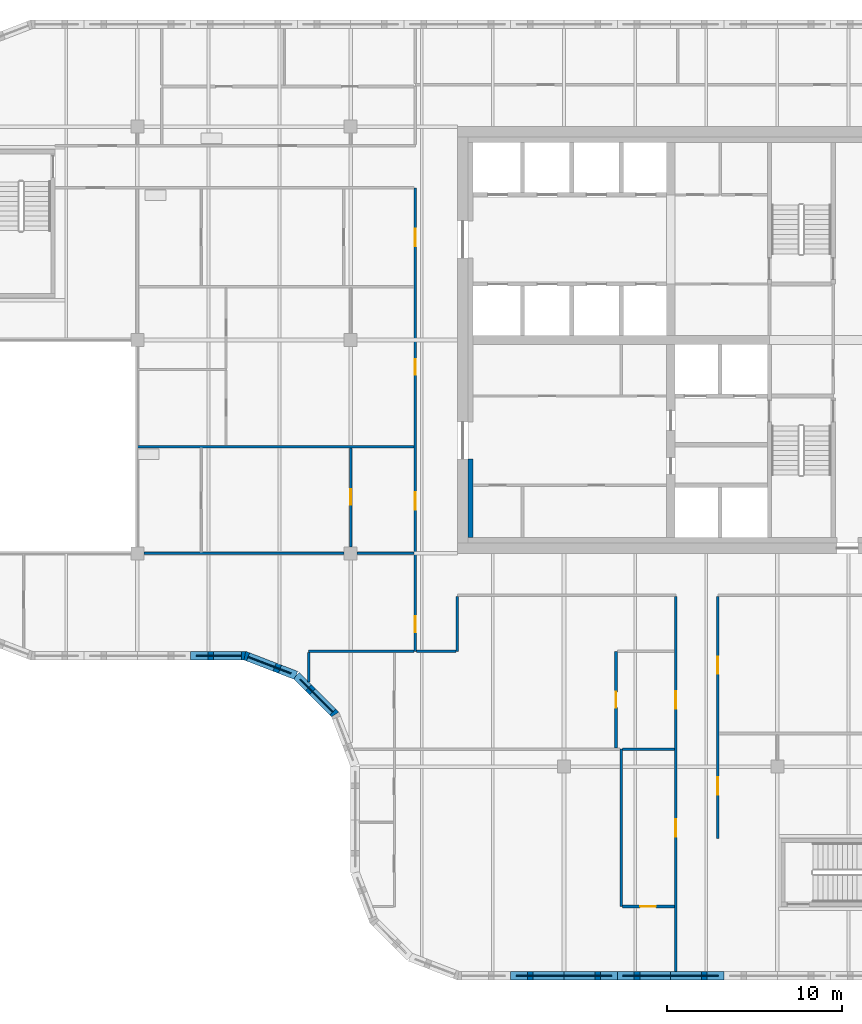
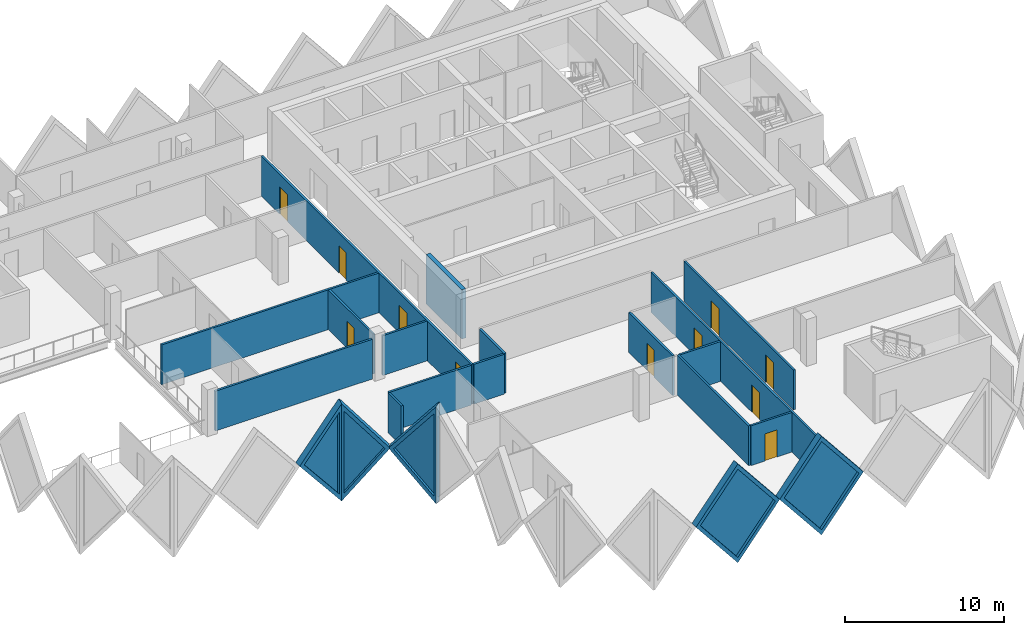
# One storey, part 4 of 12: 21 walls, 11 doors, 5 plates, 16 openings.
"""IFC4 building model written with IfcOpenShell, lengths in metres."""

from ifc_helpers import new_model, si_unit, direction, frame, frame_2d, origin, place, context, subcontext, project, spatial, polyline, rectangle, outline, extrude, faceted_brep, source, transform, mapped, material, layer, layer_set, type_object, element, fill, save


model = new_model("IFC4")

# Units and contexts
model_context = context("Model", 3, precision=1e-05, world=origin(), true_north=direction((0.0, 1.0)))
body_context = subcontext(model_context, "Body", "Model", "MODEL_VIEW")
ifc_project = project(units=[si_unit("LENGTHUNIT", "METRE"), si_unit("AREAUNIT", "SQUARE_METRE"), si_unit("VOLUMEUNIT", "CUBIC_METRE"), si_unit("PLANEANGLEUNIT", "RADIAN"), si_unit("MASSUNIT", "GRAM", prefix="KILO")], contexts=[model_context])

# Site, building, storey
site_placement = place(None, origin())
site = spatial("IfcSite", under=ifc_project, at=site_placement, CompositionType="ELEMENT")
building_placement = place(site_placement, origin())
building = spatial("IfcBuilding", under=site, at=building_placement, Name="Tessera Gate Towers", CompositionType="ELEMENT")
storey_placement = place(building_placement, frame((0.0, 0.0, 163.0)))
storey = spatial("IfcBuildingStorey", under=building, at=storey_placement, Name="L40", CompositionType="ELEMENT", Elevation=163.0)

# Wall
ifc_material_1 = material(Name="Concrete C50/60", Category="concrete")
ifc_layer_1 = layer(ifc_material_1, 0.300048828125)
ifc_layer_set_1 = layer_set([ifc_layer_1], Name="CORE WALL THICKENING 300")
wall_type_1 = type_object("IfcWallType", Name="CORE WALL THICKENING 300", PredefinedType="SOLIDWALL", material=ifc_layer_set_1)
wall_1_placement = place(storey_placement, frame((31.25, 25.300048828125, 0.0), z_axis=(0.0, 0.0, 1.0), x_axis=(0.0, 1.0, 0.0)))
element("IfcWall", 1, at=wall_1_placement, inside=storey, type_object=wall_type_1, Name="Core wall thickening W L40", PredefinedType="SOLIDWALL", context=body_context, shape_type="SweptSolid", body=[
    extrude(rectangle(XDim=4.5, YDim=0.300048828125, at=frame_2d((2.25, 0.0))), origin(), (0.0, 0.0, 1.0), 3.800048828125),
])

# Wall, openings, doors
ifc_material_2 = material(Name="Gypsum board on steel studs, mineral wool", Category="steel")
ifc_layer_2 = layer(ifc_material_2, 0.14990234375)
ifc_layer_set_2 = layer_set([ifc_layer_2], Name="CORRIDOR WALL 150")
wall_type_2 = type_object("IfcWallType", Name="CORRIDOR WALL 150", PredefinedType="PARTITIONING", material=ifc_layer_set_2)
wall_2_placement = place(storey_placement, frame((43.0, 0.5, 0.0), z_axis=(0.0, 0.0, 1.0), x_axis=(0.0, 1.0, 0.0)))
wall_2 = element("IfcWall", 2, at=wall_2_placement, inside=storey, type_object=wall_type_2, Name="T1-L40-PW-001", PredefinedType="PARTITIONING", context=body_context, shape_type="SweptSolid", body=[
    extrude(rectangle(XDim=21.424072265625, YDim=0.14990234375, at=frame_2d((10.7119140625, 0.0))), origin(), (0.0, 0.0, 1.0), 3.06689453125),
])
shared_shape_1 = source(origin(), body_context, "Body", "SweptSolid", [
    extrude(rectangle(XDim=1.0, YDim=2.10009765625, at=frame_2d((0.5, 1.050048828125))), frame((0.0, 0.0849609375, 0.0), z_axis=(0.0, -1.0, 0.0), x_axis=(1.0, 0.0, 0.0)), (0.0, 0.0, 1.0), 0.169921875),
])
opening_1_placement = place(wall_2_placement, frame((15.0009765625, 0.0, 0.0)))
opening_1 = element("IfcOpeningElement", 3, at=opening_1_placement, cuts=wall_2, Name="Opening D2100FD60-A14-02", PredefinedType="OPENING", context=body_context, shape_type="MappedRepresentation", body=[
    mapped(shared_shape_1, transform((0.0, 0.0, 0.0), scale=1.0)),
])
opening_2_placement = place(wall_2_placement, frame((7.699951171875, 0.0, 0.0)))
opening_2 = element("IfcOpeningElement", 4, at=opening_2_placement, cuts=wall_2, Name="Opening D2100FD60-A14-08", PredefinedType="OPENING", context=body_context, shape_type="MappedRepresentation", body=[
    mapped(shared_shape_1, transform((0.0, 0.0, 0.0), scale=1.0)),
])
ifc_material_3 = material(Name="Timber door leaf in steel frame", Category="steel")
door_type_1 = type_object("IfcDoorType", Name="TENANCY ENTRANCE DOOR 1000 FD60", OperationType="NOTDEFINED", PredefinedType="DOOR", material=ifc_material_3)
shared_shape_2 = source(origin(), body_context, "Body", "SweptSolid", [
    extrude(rectangle(XDim=1.0, YDim=2.10009765625, at=frame_2d((0.5, 1.050048828125))), frame((0.0, 0.02490234375, 0.0), z_axis=(0.0, -1.0, 0.0), x_axis=(1.0, 0.0, 0.0)), (0.0, 0.0, 1.0), 0.050048828125),
])
door_1_placement = place(opening_1_placement, origin())
door_1 = element("IfcDoor", 5, at=door_1_placement, inside=storey, type_object=door_type_1, Name="T1-L40-PD-010", OperationType="SINGLE_SWING_LEFT", OverallHeight=2.10009765625, OverallWidth=1.0, PredefinedType="DOOR", context=body_context, shape_type="MappedRepresentation", body=[
    mapped(shared_shape_2, transform((0.0, 0.0, 0.0), scale=1.0)),
])
fill(opening_1, door_1)
door_2_placement = place(opening_2_placement, origin())
door_2 = element("IfcDoor", 6, at=door_2_placement, inside=storey, type_object=door_type_1, Name="T1-L40-PD-023", OperationType="SINGLE_SWING_LEFT", OverallHeight=2.10009765625, OverallWidth=1.0, PredefinedType="DOOR", context=body_context, shape_type="MappedRepresentation", body=[
    mapped(shared_shape_2, transform((0.0, 0.0, 0.0), scale=1.0)),
])
fill(opening_2, door_2)

wall_3_placement = place(storey_placement, frame((45.39990234375, 21.924072265625, 0.0), z_axis=(0.0, 0.0, 1.0), x_axis=(0.0, -1.0, 0.0)))
wall_3 = element("IfcWall", 7, at=wall_3_placement, inside=storey, type_object=wall_type_2, Name="T1-L40-PW-007", PredefinedType="PARTITIONING", context=body_context, shape_type="SweptSolid", body=[
    extrude(rectangle(XDim=13.823974609375, YDim=0.14990234375, at=frame_2d((6.912109375, 0.0))), origin(), (0.0, 0.0, 1.0), 3.06689453125),
])
opening_3_placement = place(wall_3_placement, frame((10.323974609375, 0.0, 0.0)))
opening_3 = element("IfcOpeningElement", 8, at=opening_3_placement, cuts=wall_3, Name="Opening D2100FD60-A14-04", PredefinedType="OPENING", context=body_context, shape_type="MappedRepresentation", body=[
    mapped(shared_shape_1, transform((0.0, 0.0, 0.0), scale=1.0)),
])
opening_4_placement = place(wall_3_placement, frame((3.424072265625, 0.0, 0.0)))
opening_4 = element("IfcOpeningElement", 9, at=opening_4_placement, cuts=wall_3, Name="Opening D2100FD60-A14-07", PredefinedType="OPENING", context=body_context, shape_type="MappedRepresentation", body=[
    mapped(shared_shape_1, transform((0.0, 0.0, 0.0), scale=1.0)),
])
door_3_placement = place(opening_3_placement, origin())
door_3 = element("IfcDoor", 10, at=door_3_placement, inside=storey, type_object=door_type_1, Name="T1-L40-PD-015", OperationType="SINGLE_SWING_RIGHT", OverallHeight=2.10009765625, OverallWidth=1.0, PredefinedType="DOOR", context=body_context, shape_type="MappedRepresentation", body=[
    mapped(shared_shape_2, transform((0.0, 0.0, 0.0), scale=1.0)),
])
fill(opening_3, door_3)
door_4_placement = place(opening_4_placement, origin())
door_4 = element("IfcDoor", 11, at=door_4_placement, inside=storey, type_object=door_type_1, Name="T1-L40-PD-020", OperationType="SINGLE_SWING_RIGHT", OverallHeight=2.10009765625, OverallWidth=1.0, PredefinedType="DOOR", context=body_context, shape_type="MappedRepresentation", body=[
    mapped(shared_shape_2, transform((0.0, 0.0, 0.0), scale=1.0)),
])
fill(opening_4, door_4)

wall_4_placement = place(storey_placement, frame((28.10009765625, 18.800048828125, 0.0), z_axis=(0.0, 0.0, 1.0), x_axis=(0.0, 1.0, 0.0)))
wall_4 = element("IfcWall", 12, at=wall_4_placement, inside=storey, type_object=wall_type_2, Name="T1-L40-PW-017", PredefinedType="PARTITIONING", context=body_context, shape_type="SweptSolid", body=[
    extrude(rectangle(XDim=26.5, YDim=0.14990234375, at=frame_2d((13.25, 0.0))), origin(), (0.0, 0.0, 1.0), 3.06689453125),
])
shared_shape_3 = source(origin(), body_context, "Body", "SweptSolid", [
    extrude(rectangle(XDim=0.89990234375, YDim=2.10009765625, at=frame_2d((0.449951171875, 1.050048828125))), frame((0.0, 0.0849609375, 0.0), z_axis=(0.0, -1.0, 0.0), x_axis=(1.0, 0.0, 0.0)), (0.0, 0.0, 1.0), 0.169921875),
])
opening_5_placement = place(wall_4_placement, frame((1.10009765625, 0.0, 0.0)))
opening_5 = element("IfcOpeningElement", 13, at=opening_5_placement, cuts=wall_4, Name="Opening D890FD60-A14-01", PredefinedType="OPENING", context=body_context, shape_type="MappedRepresentation", body=[
    mapped(shared_shape_3, transform((0.0, 0.0, 0.0), scale=1.0)),
])
opening_6_placement = place(wall_4_placement, frame((23.15087890625, 0.0, 0.0)))
opening_6 = element("IfcOpeningElement", 14, at=opening_6_placement, cuts=wall_4, Name="Opening D2100FD60-A14-03", PredefinedType="OPENING", context=body_context, shape_type="MappedRepresentation", body=[
    mapped(shared_shape_1, transform((0.0, 0.0, 0.0), scale=1.0)),
])
opening_7_placement = place(wall_4_placement, frame((8.10009765625, 0.0, 0.0)))
opening_7 = element("IfcOpeningElement", 15, at=opening_7_placement, cuts=wall_4, Name="Opening D2100FD60-A14-06", PredefinedType="OPENING", context=body_context, shape_type="MappedRepresentation", body=[
    mapped(shared_shape_1, transform((0.0, 0.0, 0.0), scale=1.0)),
])
opening_8_placement = place(wall_4_placement, frame((15.800048828125, 0.0, 0.0)))
opening_8 = element("IfcOpeningElement", 16, at=opening_8_placement, cuts=wall_4, Name="Opening D890FD60-A14-03", PredefinedType="OPENING", context=body_context, shape_type="MappedRepresentation", body=[
    mapped(shared_shape_3, transform((0.0, 0.0, 0.0), scale=1.0)),
])
ifc_material_4 = material(Name="Timber door leaf in steel frame", Category="steel")
door_type_2 = type_object("IfcDoorType", Name="CORRIDOR DOOR 900 FD60", OperationType="NOTDEFINED", PredefinedType="DOOR", material=ifc_material_4)
shared_shape_4 = source(origin(), body_context, "Body", "SweptSolid", [
    extrude(rectangle(XDim=0.89990234375, YDim=2.10009765625, at=frame_2d((0.449951171875, 1.050048828125))), frame((0.0, 0.02490234375, 0.0), z_axis=(0.0, -1.0, 0.0), x_axis=(1.0, 0.0, 0.0)), (0.0, 0.0, 1.0), 0.050048828125),
])
door_5_placement = place(opening_5_placement, origin())
door_5 = element("IfcDoor", 17, at=door_5_placement, inside=storey, type_object=door_type_2, Name="T1-L40-PD-001", OperationType="SINGLE_SWING_LEFT", OverallHeight=2.10009765625, OverallWidth=0.89990234375, PredefinedType="DOOR", context=body_context, shape_type="MappedRepresentation", body=[
    mapped(shared_shape_4, transform((0.0, 0.0, 0.0), scale=1.0)),
])
fill(opening_5, door_5)
door_6_placement = place(opening_8_placement, origin())
door_6 = element("IfcDoor", 18, at=door_6_placement, inside=storey, type_object=door_type_2, Name="T1-L40-PD-024", OperationType="SINGLE_SWING_LEFT", OverallHeight=2.10009765625, OverallWidth=0.89990234375, PredefinedType="DOOR", context=body_context, shape_type="MappedRepresentation", body=[
    mapped(shared_shape_4, transform((0.0, 0.0, 0.0), scale=1.0)),
])
fill(opening_8, door_6)
door_7_placement = place(opening_6_placement, origin())
door_7 = element("IfcDoor", 19, at=door_7_placement, inside=storey, type_object=door_type_1, Name="T1-L40-PD-012", OperationType="SINGLE_SWING_LEFT", OverallHeight=2.10009765625, OverallWidth=1.0, PredefinedType="DOOR", context=body_context, shape_type="MappedRepresentation", body=[
    mapped(shared_shape_2, transform((0.0, 0.0, 0.0), scale=1.0)),
])
fill(opening_6, door_7)
door_8_placement = place(opening_7_placement, origin())
door_8 = element("IfcDoor", 20, at=door_8_placement, inside=storey, type_object=door_type_1, Name="T1-L40-PD-017", OperationType="SINGLE_SWING_LEFT", OverallHeight=2.10009765625, OverallWidth=1.0, PredefinedType="DOOR", context=body_context, shape_type="MappedRepresentation", body=[
    mapped(shared_shape_2, transform((0.0, 0.0, 0.0), scale=1.0)),
])
fill(opening_7, door_8)

# Walls
wall_5_placement = place(storey_placement, frame((28.176025390625, 18.800048828125, 0.0), z_axis=(0.0, 0.0, 1.0), x_axis=(1.0, 0.0, 0.0)))
element("IfcWall", 21, at=wall_5_placement, inside=storey, type_object=wall_type_2, Name="T1-L40-PW-018", PredefinedType="PARTITIONING", context=body_context, shape_type="SweptSolid", body=[
    extrude(rectangle(XDim=2.248046875, YDim=0.14990234375, at=frame_2d((1.1240234375, 0.0))), origin(), (0.0, 0.0, 1.0), 3.06689453125),
])
wall_6_placement = place(storey_placement, frame((30.5, 18.800048828125, 0.0), z_axis=(0.0, 0.0, 1.0), x_axis=(0.0, 1.0, 0.0)))
element("IfcWall", 22, at=wall_6_placement, inside=storey, type_object=wall_type_2, Name="T1-L40-PW-019", PredefinedType="PARTITIONING", context=body_context, shape_type="SweptSolid", body=[
    extrude(rectangle(XDim=3.1240234375, YDim=0.14990234375, at=frame_2d((1.56201171875, 0.0))), origin(), (0.0, 0.0, 1.0), 3.06689453125),
])
ifc_material_5 = material(Name="Gypsum board on steel studs, mineral wool", Category="steel")
ifc_layer_3 = layer(ifc_material_5, 0.14990234375)
ifc_layer_set_3 = layer_set([ifc_layer_3], Name="TENANCY WALL 150")
wall_type_3 = type_object("IfcWallType", Name="TENANCY WALL 150", PredefinedType="PARTITIONING", material=ifc_layer_set_3)
wall_7_placement = place(storey_placement, frame((39.875, 4.199951171875, 0.0), z_axis=(0.0, 0.0, 1.0), x_axis=(0.0, 1.0, 0.0)))
element("IfcWall", 23, at=wall_7_placement, inside=storey, type_object=wall_type_3, Name="T1-L40-PW-005", PredefinedType="PARTITIONING", context=body_context, shape_type="SweptSolid", body=[
    extrude(rectangle(XDim=9.0, YDim=0.14990234375, at=frame_2d((4.5, 0.0))), origin(), (0.0, 0.0, 1.0), 3.06689453125),
])

# Wall, opening, door
wall_8_placement = place(storey_placement, frame((42.924072265625, 4.199951171875, 0.0), z_axis=(0.0, 0.0, 1.0), x_axis=(-1.0, 0.0, 0.0)))
wall_8 = element("IfcWall", 24, at=wall_8_placement, inside=storey, type_object=wall_type_3, Name="T1-L40-PW-006", PredefinedType="PARTITIONING", context=body_context, shape_type="SweptSolid", body=[
    extrude(rectangle(XDim=2.97314453125, YDim=0.14990234375, at=frame_2d((1.486572265625, 0.0))), origin(), (0.0, 0.0, 1.0), 3.06689453125),
])
opening_9_placement = place(wall_8_placement, frame((1.072998046875, 0.0, 0.0)))
opening_9 = element("IfcOpeningElement", 25, at=opening_9_placement, cuts=wall_8, Name="Opening D190-A14-13", PredefinedType="OPENING", context=body_context, shape_type="MappedRepresentation", body=[
    mapped(shared_shape_3, transform((0.0, 0.0, 0.0), scale=1.0)),
])
ifc_material_6 = material(Name="Timber door leaf in steel frame", Category="steel")
door_type_3 = type_object("IfcDoorType", Name="INTERNAL DOOR 900 NOT RATED", OperationType="NOTDEFINED", PredefinedType="DOOR", material=ifc_material_6)
door_9_placement = place(opening_9_placement, origin())
door_9 = element("IfcDoor", 26, at=door_9_placement, inside=storey, type_object=door_type_3, Name="T1-L40-PD-025", OperationType="SINGLE_SWING_RIGHT", OverallHeight=2.10009765625, OverallWidth=0.89990234375, PredefinedType="DOOR", context=body_context, shape_type="MappedRepresentation", body=[
    mapped(shared_shape_4, transform((0.0, 0.0, 0.0), scale=1.0)),
])
fill(opening_9, door_9)

# Wall
wall_9_placement = place(storey_placement, frame((39.950927734375, 13.199951171875, 0.0), z_axis=(0.0, 0.0, 1.0), x_axis=(1.0, 0.0, 0.0)))
element("IfcWall", 27, at=wall_9_placement, inside=storey, type_object=wall_type_3, Name="T1-L40-PW-011", PredefinedType="PARTITIONING", context=body_context, shape_type="SweptSolid", body=[
    extrude(rectangle(XDim=2.97314453125, YDim=0.14990234375, at=frame_2d((1.486572265625, 0.0))), origin(), (0.0, 0.0, 1.0), 3.06689453125),
])

# Wall, opening, door
wall_10_placement = place(storey_placement, frame((39.574951171875, 13.27587890625, 0.0), z_axis=(0.0, 0.0, 1.0), x_axis=(0.0, 1.0, 0.0)))
wall_10 = element("IfcWall", 28, at=wall_10_placement, inside=storey, type_object=wall_type_3, Name="T1-L40-PW-013", PredefinedType="PARTITIONING", context=body_context, shape_type="SweptSolid", body=[
    extrude(rectangle(XDim=5.524169921875, YDim=0.14990234375, at=frame_2d((2.76220703125, 0.0))), origin(), (0.0, 0.0, 1.0), 3.06689453125),
])
opening_10_placement = place(wall_10_placement, frame((2.300048828125, 0.0, 0.0)))
opening_10 = element("IfcOpeningElement", 29, at=opening_10_placement, cuts=wall_10, Name="Opening D190-A14-12", PredefinedType="OPENING", context=body_context, shape_type="MappedRepresentation", body=[
    mapped(shared_shape_3, transform((0.0, 0.0, 0.0), scale=1.0)),
])
door_10_placement = place(opening_10_placement, origin())
door_10 = element("IfcDoor", 30, at=door_10_placement, inside=storey, type_object=door_type_3, Name="T1-L40-PD-022", OperationType="SINGLE_SWING_LEFT", OverallHeight=2.10009765625, OverallWidth=0.89990234375, PredefinedType="DOOR", context=body_context, shape_type="MappedRepresentation", body=[
    mapped(shared_shape_4, transform((0.0, 0.0, 0.0), scale=1.0)),
])
fill(opening_10, door_10)

# Walls
wall_11_placement = place(storey_placement, frame((22.0, 17.054931640625, 0.0), z_axis=(0.0, 0.0, 1.0), x_axis=(0.0, 1.0, 0.0)))
element("IfcWall", 31, at=wall_11_placement, inside=storey, type_object=wall_type_3, Name="T1-L40-PW-015", PredefinedType="PARTITIONING", context=body_context, shape_type="SweptSolid", body=[
    extrude(rectangle(XDim=1.669189453125, YDim=0.14990234375, at=frame_2d((0.83447265625, 0.0))), origin(), (0.0, 0.0, 1.0), 3.06689453125),
])
wall_12_placement = place(storey_placement, frame((22.0, 18.800048828125, 0.0), z_axis=(0.0, 0.0, 1.0), x_axis=(1.0, 0.0, 0.0)))
element("IfcWall", 32, at=wall_12_placement, inside=storey, type_object=wall_type_3, Name="T1-L40-PW-016", PredefinedType="PARTITIONING", context=body_context, shape_type="SweptSolid", body=[
    extrude(rectangle(XDim=6.02392578125, YDim=0.14990234375, at=frame_2d((3.011962890625, 0.0))), origin(), (0.0, 0.0, 1.0), 3.06689453125),
])
wall_13_placement = place(storey_placement, frame((12.575927734375, 24.39990234375, 0.0), z_axis=(0.0, 0.0, 1.0), x_axis=(1.0, 0.0, 0.0)))
element("IfcWall", 33, at=wall_13_placement, inside=storey, type_object=wall_type_3, Name="T1-L40-PW-026", PredefinedType="PARTITIONING", context=body_context, shape_type="SweptSolid", body=[
    extrude(rectangle(XDim=11.447998046875, YDim=0.14990234375, at=frame_2d((5.72412109375, 0.0))), origin(), (0.0, 0.0, 1.0), 3.06689453125),
])
wall_14_placement = place(storey_placement, frame((24.77587890625, 24.39990234375, 0.0), z_axis=(0.0, 0.0, 1.0), x_axis=(1.0, 0.0, 0.0)))
element("IfcWall", 34, at=wall_14_placement, inside=storey, type_object=wall_type_3, Name="T1-L40-PW-027", PredefinedType="PARTITIONING", context=body_context, shape_type="SweptSolid", body=[
    extrude(rectangle(XDim=3.248046875, YDim=0.14990234375, at=frame_2d((1.6240234375, 0.0))), origin(), (0.0, 0.0, 1.0), 3.06689453125),
])

# Wall, opening, door
wall_15_placement = place(storey_placement, frame((24.39990234375, 24.77587890625, 0.0), z_axis=(0.0, 0.0, 1.0), x_axis=(0.0, 1.0, 0.0)))
wall_15 = element("IfcWall", 35, at=wall_15_placement, inside=storey, type_object=wall_type_3, Name="T1-L40-PW-029", PredefinedType="PARTITIONING", context=body_context, shape_type="SweptSolid", body=[
    extrude(rectangle(XDim=5.648193359375, YDim=0.14990234375, at=frame_2d((2.82421875, 0.0))), origin(), (0.0, 0.0, 1.0), 3.06689453125),
])
opening_11_placement = place(wall_15_placement, frame((2.39990234375, 0.0, 0.0)))
opening_11 = element("IfcOpeningElement", 36, at=opening_11_placement, cuts=wall_15, Name="Opening D190-A14-07", PredefinedType="OPENING", context=body_context, shape_type="MappedRepresentation", body=[
    mapped(shared_shape_3, transform((0.0, 0.0, 0.0), scale=1.0)),
])
door_11_placement = place(opening_11_placement, origin())
door_11 = element("IfcDoor", 37, at=door_11_placement, inside=storey, type_object=door_type_3, Name="T1-L40-PD-011", OperationType="SINGLE_SWING_LEFT", OverallHeight=2.10009765625, OverallWidth=0.89990234375, PredefinedType="DOOR", context=body_context, shape_type="MappedRepresentation", body=[
    mapped(shared_shape_4, transform((0.0, 0.0, 0.0), scale=1.0)),
])
fill(opening_11, door_11)

# Wall
wall_16_placement = place(storey_placement, frame((12.199951171875, 30.5, 0.0), z_axis=(0.0, 0.0, 1.0), x_axis=(1.0, 0.0, 0.0)))
element("IfcWall", 38, at=wall_16_placement, inside=storey, type_object=wall_type_3, Name="T1-L40-PW-030", PredefinedType="PARTITIONING", context=body_context, shape_type="SweptSolid", body=[
    extrude(rectangle(XDim=15.823974609375, YDim=0.14990234375, at=frame_2d((7.912109375, 0.0))), origin(), (0.0, 0.0, 1.0), 3.06689453125),
])

# Wall, opening, plate
ifc_material_7 = material(Name="Precast concrete C60/75 white", Category="concrete")
ifc_layer_4 = layer(ifc_material_7, 0.5)
ifc_layer_set_4 = layer_set([ifc_layer_4], Name="TS1 tessera")
wall_type_4 = type_object("IfcWallType", Name="TS1 tessera", PredefinedType="SOLIDWALL", material=ifc_layer_set_4)
shared_shape_5 = source(origin(), body_context, "Body", "Brep", [
    faceted_brep([(3.050048828125, -0.25, 0.0), (6.099853515625, -0.25, 3.7998046875), (6.099853515625, -0.25, 3.80029296875), (3.050048828125, -0.25, 7.60009765625), (0.0, -0.25, 3.800048828125), (0.0, 0.25, 3.800048828125), (3.050048828125, 0.25, 7.60009765625), (6.099853515625, 0.25, 3.80029296875), (6.099853515625, 0.25, 3.7998046875), (3.050048828125, 0.25, 0.0)], [[[0, 1, 2, 3, 4]], [[5, 6, 7, 8, 9]], [[9, 8, 1, 0]], [[7, 6, 3, 2]], [[6, 5, 4, 3]], [[5, 9, 0, 4]], [[1, 8, 7, 2]]]),
])
wall_17_placement = place(storey_placement, frame((33.550048828125, 0.25, -3.800048828125), z_axis=(0.0, 0.0, 1.0), x_axis=(1.0, 0.0, 0.0)))
wall_17 = element("IfcWall", 39, at=wall_17_placement, inside=storey, type_object=wall_type_4, Name="Precast tessera T1 TS1-0667", PredefinedType="SOLIDWALL", context=body_context, shape_type="MappedRepresentation", body=[
    mapped(shared_shape_5, transform((0.0, 0.0, 0.0), scale=1.0)),
])
shared_shape_6 = source(origin(), body_context, "Body", "SweptSolid", [
    extrude(outline(polyline([(3.050048828125, 0.3994140625), (5.779541015625, 3.800048828125), (3.050048828125, 7.20068359375), (0.320556640625, 3.800048828125), (3.050048828125, 0.3994140625)])), frame((0.0, 0.260009765625, 0.0), z_axis=(0.0, -1.0, 0.0), x_axis=(1.0, 0.0, 0.0)), (0.0, 0.0, 1.0), 0.52001953125),
])
opening_12_placement = place(wall_17_placement, origin())
opening_12 = element("IfcOpeningElement", 40, at=opening_12_placement, cuts=wall_17, Name="Opening T1-PL2-1365", PredefinedType="OPENING", context=body_context, shape_type="MappedRepresentation", body=[
    mapped(shared_shape_6, transform((0.0, 0.0, 0.0), scale=1.0)),
])
ifc_material_8 = material(Name="Low-e laminated glass", Category="glass")
ifc_layer_5 = layer(ifc_material_8, 0.06005859375)
ifc_layer_set_5 = layer_set([ifc_layer_5], Name="PL2 rhombic pane")
plate_type = type_object("IfcPlateType", Name="PL2 rhombic pane", PredefinedType="SHEET", material=ifc_layer_set_5)
shared_shape_7 = source(origin(), body_context, "Body", "SweptSolid", [
    extrude(outline(polyline([(3.050048828125, 0.3994140625), (5.779541015625, 3.800048828125), (3.050048828125, 7.20068359375), (0.320556640625, 3.800048828125), (3.050048828125, 0.3994140625)])), frame((0.0, 0.030029296875, 0.0), z_axis=(0.0, -1.0, 0.0), x_axis=(1.0, 0.0, 0.0)), (0.0, 0.0, 1.0), 0.06005859375),
])
plate_1_placement = place(opening_12_placement, origin())
plate_1 = element("IfcPlate", 41, at=plate_1_placement, inside=storey, type_object=plate_type, Name="Glass pane T1 PL2-1365", PredefinedType="SHEET", context=body_context, shape_type="MappedRepresentation", body=[
    mapped(shared_shape_7, transform((0.0, 0.0, 0.0), scale=1.0)),
])
fill(opening_12, plate_1)

shared_shape_8 = source(origin(), body_context, "Body", "SweptSolid", [
    extrude(outline(polyline([(3.050048828125, 0.0), (6.10009765625, 3.800048828125), (3.050048828125, 7.60009765625), (0.0, 3.800048828125), (3.050048828125, 0.0)])), frame((0.0, 0.25, 0.0), z_axis=(0.0, -1.0, 0.0), x_axis=(1.0, 0.0, 0.0)), (0.0, 0.0, 1.0), 0.5),
])
wall_18_placement = place(storey_placement, frame((39.64990234375, 0.25, -3.800048828125), z_axis=(0.0, 0.0, 1.0), x_axis=(1.0, 0.0, 0.0)))
wall_18 = element("IfcWall", 42, at=wall_18_placement, inside=storey, type_object=wall_type_4, Name="Precast tessera T1 TS1-0668", PredefinedType="SOLIDWALL", context=body_context, shape_type="MappedRepresentation", body=[
    mapped(shared_shape_8, transform((0.0, 0.0, 0.0), scale=1.0)),
])
opening_13_placement = place(wall_18_placement, origin())
opening_13 = element("IfcOpeningElement", 43, at=opening_13_placement, cuts=wall_18, Name="Opening T1-PL2-1366", PredefinedType="OPENING", context=body_context, shape_type="MappedRepresentation", body=[
    mapped(shared_shape_6, transform((0.0, 0.0, 0.0), scale=1.0)),
])
plate_2_placement = place(opening_13_placement, origin())
plate_2 = element("IfcPlate", 44, at=plate_2_placement, inside=storey, type_object=plate_type, Name="Glass pane T1 PL2-1366", PredefinedType="SHEET", context=body_context, shape_type="MappedRepresentation", body=[
    mapped(shared_shape_7, transform((0.0, 0.0, 0.0), scale=1.0)),
])
fill(opening_13, plate_2)

ifc_material_9 = material(Name="Precast concrete C60/75 white", Category="concrete")
ifc_layer_6 = layer(ifc_material_9, 0.5)
ifc_layer_set_6 = layer_set([ifc_layer_6], Name="TS3 corner tessera")
wall_type_5 = type_object("IfcWallType", Name="TS3 corner tessera", PredefinedType="SOLIDWALL", material=ifc_layer_set_6)
shared_shape_9 = source(origin(), body_context, "Body", "Brep", [
    faceted_brep([(3.050048828125, -0.25, 7.543212890625), (0.0, -0.25, 3.800048828125), (3.050048828125, -0.25, 0.056884765625), (0.0, 0.25, 3.800048828125), (3.096435546875, 0.25, 7.60009765625), (3.14306640625, 0.25, 7.543701171875), (3.14306640625, 0.25, 0.056396484375), (3.096435546875, 0.25, 0.0), (3.096435546875, -0.00048828125, 0.0), (3.096435546875, -0.00048828125, 7.60009765625)], [[[0, 1, 2]], [[3, 4, 5, 6, 7]], [[7, 6, 8]], [[5, 4, 9]], [[4, 3, 1, 0, 9]], [[3, 7, 8, 2, 1]], [[2, 8, 6, 5, 9, 0]]]),
])
wall_19_placement = place(storey_placement, frame((15.25, 18.550048828125, -3.800048828125), z_axis=(0.0, 0.0, 1.0), x_axis=(1.0, 0.0, 0.0)))
wall_19 = element("IfcWall", 45, at=wall_19_placement, inside=storey, type_object=wall_type_5, Name="Precast corner tessera T1 TS3-0931", PredefinedType="SOLIDWALL", context=body_context, shape_type="MappedRepresentation", body=[
    mapped(shared_shape_9, transform((0.0, 0.0, 0.0), scale=1.0)),
])
shared_shape_10 = source(origin(), body_context, "Body", "SweptSolid", [
    extrude(outline(polyline([(2.896484375, 6.958740234375), (0.322509765625, 3.800048828125), (2.896484375, 0.641357421875), (2.896484375, 6.958740234375)])), frame((0.0, 0.260009765625, 0.0), z_axis=(0.0, -1.0, 0.0), x_axis=(1.0, 0.0, 0.0)), (0.0, 0.0, 1.0), 0.52001953125),
])
opening_14_placement = place(wall_19_placement, origin())
opening_14 = element("IfcOpeningElement", 46, at=opening_14_placement, cuts=wall_19, Name="Opening T1-PL2-1403", PredefinedType="OPENING", context=body_context, shape_type="MappedRepresentation", body=[
    mapped(shared_shape_10, transform((0.0, 0.0, 0.0), scale=1.0)),
])
shared_shape_11 = source(origin(), body_context, "Body", "SweptSolid", [
    extrude(outline(polyline([(2.896484375, 6.958740234375), (0.322509765625, 3.800048828125), (2.896484375, 0.641357421875), (2.896484375, 6.958740234375)])), frame((0.0, 0.030029296875, 0.0), z_axis=(0.0, -1.0, 0.0), x_axis=(1.0, 0.0, 0.0)), (0.0, 0.0, 1.0), 0.06005859375),
])
plate_3_placement = place(opening_14_placement, origin())
plate_3 = element("IfcPlate", 47, at=plate_3_placement, inside=storey, type_object=plate_type, Name="Glass pane T1 PL2-1403", PredefinedType="SHEET", context=body_context, shape_type="MappedRepresentation", body=[
    mapped(shared_shape_11, transform((0.0, 0.0, 0.0), scale=1.0)),
])
fill(opening_14, plate_3)

shared_shape_12 = source(origin(), body_context, "Body", "Brep", [
    faceted_brep([(0.09326171875, -0.25, 0.05615234375), (3.14306640625, -0.25, 3.736328125), (3.14306640625, -0.25, 3.86376953125), (0.09326171875, -0.25, 7.5439453125), (0.0, 0.25, 7.54296875), (0.046630859375, 0.25, 7.60009765625), (3.196044921875, 0.25, 3.800048828125), (0.046630859375, 0.25, 0.0), (0.0, 0.25, 0.05712890625), (3.196044921875, -0.000244140625, 3.800048828125), (0.046630859375, 0.0, 0.0), (0.046630859375, 0.0, 7.60009765625)], [[[0, 1, 2, 3]], [[4, 5, 6, 7, 8]], [[7, 6, 9, 1, 0, 10]], [[6, 5, 11, 3, 2, 9]], [[5, 4, 11]], [[8, 7, 10]], [[8, 10, 0, 3, 11, 4]], [[1, 9, 2]]]),
])
wall_20_placement = place(storey_placement, frame((18.302978515625, 18.56689453125, -3.800048828125), z_axis=(0.0, 0.0, 1.0), x_axis=(0.932978940178, -0.359930961693, 0.0)))
wall_20 = element("IfcWall", 48, at=wall_20_placement, inside=storey, type_object=wall_type_5, Name="Precast corner tessera T1 TS3-0932", PredefinedType="SOLIDWALL", context=body_context, shape_type="MappedRepresentation", body=[
    mapped(shared_shape_12, transform((0.0, 0.0, 0.0), scale=1.0)),
])
shared_shape_13 = source(origin(), body_context, "Body", "SweptSolid", [
    extrude(outline(polyline([(0.24658203125, 0.633056640625), (2.871337890625, 3.800048828125), (0.24658203125, 6.967041015625), (0.24658203125, 0.633056640625)])), frame((0.0, 0.260009765625, 0.0), z_axis=(0.0, -1.0, 0.0), x_axis=(1.0, 0.0, 0.0)), (0.0, 0.0, 1.0), 0.52001953125),
])
opening_15_placement = place(wall_20_placement, origin())
opening_15 = element("IfcOpeningElement", 49, at=opening_15_placement, cuts=wall_20, Name="Opening T1-PL2-1404", PredefinedType="OPENING", context=body_context, shape_type="MappedRepresentation", body=[
    mapped(shared_shape_13, transform((0.0, 0.0, 0.0), scale=1.0)),
])
shared_shape_14 = source(origin(), body_context, "Body", "SweptSolid", [
    extrude(outline(polyline([(0.24658203125, 0.633056640625), (2.871337890625, 3.800048828125), (0.24658203125, 6.967041015625), (0.24658203125, 0.633056640625)])), frame((0.0, 0.030029296875, 0.0), z_axis=(0.0, -1.0, 0.0), x_axis=(1.0, 0.0, 0.0)), (0.0, 0.0, 1.0), 0.06005859375),
])
plate_4_placement = place(opening_15_placement, origin())
plate_4 = element("IfcPlate", 50, at=plate_4_placement, inside=storey, type_object=plate_type, Name="Glass pane T1 PL2-1404", PredefinedType="SHEET", context=body_context, shape_type="MappedRepresentation", body=[
    mapped(shared_shape_14, transform((0.0, 0.0, 0.0), scale=1.0)),
])
fill(opening_15, plate_4)

shared_shape_15 = source(origin(), body_context, "Body", "Brep", [
    faceted_brep([(3.10302734375, -0.25, 7.536376953125), (0.052978515625, -0.25, 3.86376953125), (0.052978515625, -0.25, 3.736328125), (3.10302734375, -0.25, 0.063720703125), (0.0, 0.25, 3.800048828125), (3.15576171875, 0.25, 7.60009765625), (3.208740234375, 0.25, 7.5361328125), (3.208740234375, 0.25, 0.06396484375), (3.15576171875, 0.25, 0.0), (3.15576171875, -0.00048828125, 0.0), (3.15576171875, -0.00048828125, 7.60009765625), (0.0, 0.0, 3.800048828125)], [[[0, 1, 2, 3]], [[4, 5, 6, 7, 8]], [[8, 7, 9]], [[6, 5, 10]], [[5, 4, 11, 1, 0, 10]], [[4, 8, 9, 3, 2, 11]], [[11, 2, 1]], [[3, 9, 7, 6, 10, 0]]]),
])
wall_21_placement = place(storey_placement, frame((21.284912109375, 17.41650390625, -3.800048828125), z_axis=(0.0, 0.0, 1.0), x_axis=(0.707106781187, -0.707106781187, 0.0)))
wall_21 = element("IfcWall", 51, at=wall_21_placement, inside=storey, type_object=wall_type_5, Name="Precast corner tessera T1 TS3-0933", PredefinedType="SOLIDWALL", context=body_context, shape_type="MappedRepresentation", body=[
    mapped(shared_shape_15, transform((0.0, 0.0, 0.0), scale=1.0)),
])
shared_shape_16 = source(origin(), body_context, "Body", "SweptSolid", [
    extrude(outline(polyline([(2.955810546875, 6.968017578125), (0.324951171875, 3.800048828125), (2.955810546875, 0.632080078125), (2.955810546875, 6.968017578125)])), frame((0.0, 0.260009765625, 0.0), z_axis=(0.0, -1.0, 0.0), x_axis=(1.0, 0.0, 0.0)), (0.0, 0.0, 1.0), 0.52001953125),
])
opening_16_placement = place(wall_21_placement, origin())
opening_16 = element("IfcOpeningElement", 52, at=opening_16_placement, cuts=wall_21, Name="Opening T1-PL2-1405", PredefinedType="OPENING", context=body_context, shape_type="MappedRepresentation", body=[
    mapped(shared_shape_16, transform((0.0, 0.0, 0.0), scale=1.0)),
])
shared_shape_17 = source(origin(), body_context, "Body", "SweptSolid", [
    extrude(outline(polyline([(2.955810546875, 6.968017578125), (0.324951171875, 3.800048828125), (2.955810546875, 0.632080078125), (2.955810546875, 6.968017578125)])), frame((0.0, 0.030029296875, 0.0), z_axis=(0.0, -1.0, 0.0), x_axis=(1.0, 0.0, 0.0)), (0.0, 0.0, 1.0), 0.06005859375),
])
plate_5_placement = place(opening_16_placement, origin())
plate_5 = element("IfcPlate", 53, at=plate_5_placement, inside=storey, type_object=plate_type, Name="Glass pane T1 PL2-1405", PredefinedType="SHEET", context=body_context, shape_type="MappedRepresentation", body=[
    mapped(shared_shape_17, transform((0.0, 0.0, 0.0), scale=1.0)),
])
fill(opening_16, plate_5)

save(model, "model.ifc")
